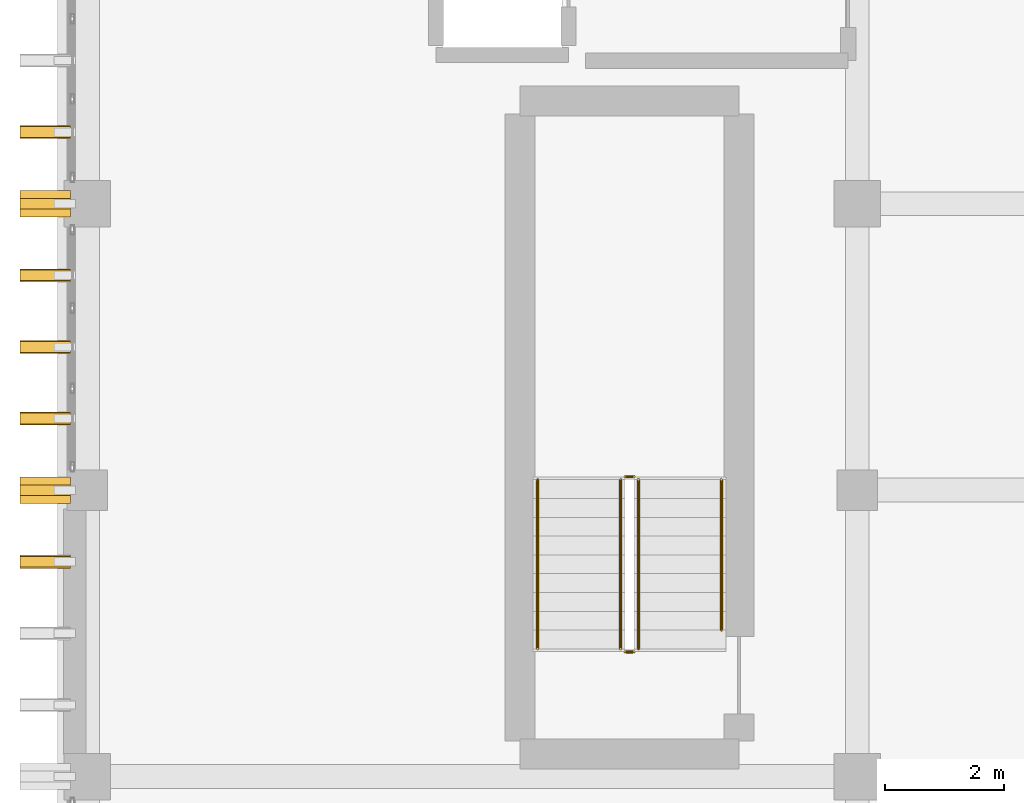
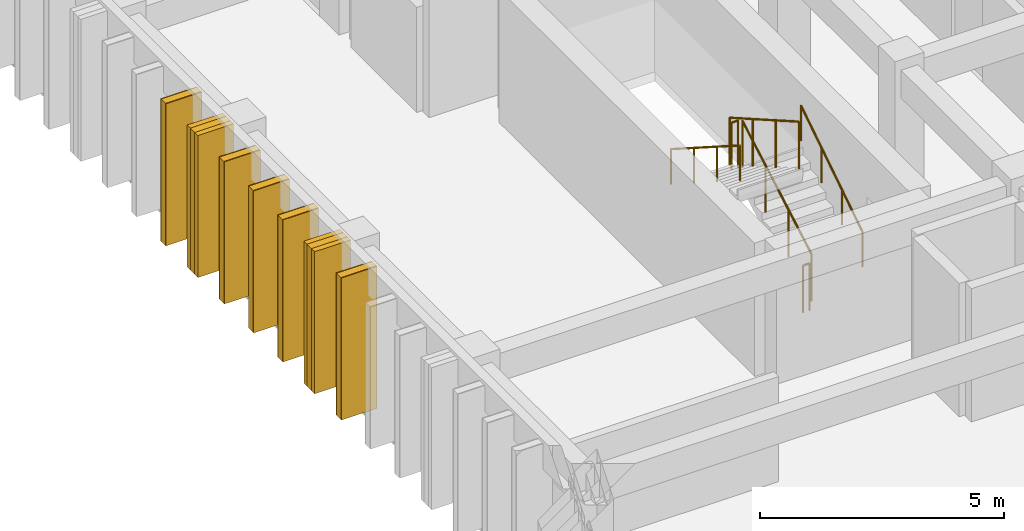
# One storey, part 65 of 68: 7 coverings, 7 shading devices, 6 railings.
"""IFC4 building model written with IfcOpenShell, lengths in metres."""

from ifc_helpers import new_model, si_unit, direction, frame, origin, origin_2d, place, context, subcontext, project, spatial, rectangle, circle, extrude, material, layer, layer_set, type_object, element, save


model = new_model("IFC4")

# Units and contexts
model_context = context("Model", 3, precision=1e-05, world=origin(), true_north=direction((0.0, 1.0)))
body_context = subcontext(model_context, "Body", "Model", "MODEL_VIEW")
ifc_project = project(units=[si_unit("LENGTHUNIT", "METRE"), si_unit("AREAUNIT", "SQUARE_METRE"), si_unit("VOLUMEUNIT", "CUBIC_METRE"), si_unit("PLANEANGLEUNIT", "RADIAN"), si_unit("MASSUNIT", "GRAM", prefix="KILO")], contexts=[model_context])

# Site, building, storey
site_placement = place(None, origin())
site = spatial("IfcSite", under=ifc_project, at=site_placement, CompositionType="ELEMENT")
building_placement = place(site_placement, origin())
building = spatial("IfcBuilding", under=site, at=building_placement, Name="Nakhvara Creek Congress Hotel", CompositionType="ELEMENT")
storey_placement = place(building_placement, frame((0.0, 0.0, 24.60009765625)))
storey = spatial("IfcBuildingStorey", under=building, at=storey_placement, Name="L05", CompositionType="ELEMENT", Elevation=24.60009765625)

# Coverings
ifc_material_1 = material(Name="Honed pale Omani limestone architectural cladding", Category="masonry")
ifc_layer = layer(ifc_material_1, 0.219970703125)
ifc_layer_set = layer_set([ifc_layer], Name="Honed pale Omani limestone architectural cladding")
covering_type = type_object("IfcCoveringType", Name="COV-FIN-850", PredefinedType="CLADDING", material=ifc_layer_set)
covering_1_placement = place(storey_placement, frame((148.7451171875, 80.39990234375, -0.000244140625), z_axis=(0.0, 0.0, 1.0), x_axis=(0.0, 1.0, 0.0)))
element("IfcCovering", 1, at=covering_1_placement, inside=storey, type_object=covering_type, Name="Pale Limestone Fin Cladding CF01-1501", PredefinedType="CLADDING", context=body_context, shape_type="SweptSolid", body=[
    extrude(rectangle(XDim=0.219970703125, YDim=0.85009765625, at=origin_2d()), origin(), (0.0, 0.0, 1.0), 3.56005859375),
])
covering_2_placement = place(storey_placement, frame((148.7451171875, 81.60009765625, -0.000244140625), z_axis=(0.0, 0.0, 1.0), x_axis=(0.0, 1.0, 0.0)))
element("IfcCovering", 2, at=covering_2_placement, inside=storey, type_object=covering_type, Name="Pale Limestone Fin Cladding CF01-1503", PredefinedType="CLADDING", context=body_context, shape_type="SweptSolid", body=[
    extrude(rectangle(XDim=0.43994140625, YDim=0.85009765625, at=origin_2d()), origin(), (0.0, 0.0, 1.0), 3.56005859375),
])
for number, where, z_axis, x_axis, name in (
    (3, (148.7451171875, 82.800048828125, -0.000244140625), (0.0, 0.0, 1.0), (0.0, 1.0, 0.0), "Pale Limestone Fin Cladding CF01-1505"),
    (4, (148.7451171875, 84.0, -0.000244140625), (0.0, 0.0, 1.0), (0.0, 1.0, 0.0), "Pale Limestone Fin Cladding CF01-1506"),
    (5, (148.7451171875, 85.199951171875, -0.000244140625), (0.0, 0.0, 1.0), (0.0, 1.0, 0.0), "Pale Limestone Fin Cladding CF01-1508"),
):
    element("IfcCovering", number, at=place(storey_placement, frame(where, z_axis=z_axis, x_axis=x_axis)), inside=storey, type_object=covering_type, Name=name, PredefinedType="CLADDING", context=body_context, shape_type="SweptSolid", body=[
        extrude(rectangle(XDim=0.219970703125, YDim=0.85009765625, at=origin_2d()), origin(), (0.0, 0.0, 1.0), 3.56005859375),
    ])
covering_3_placement = place(storey_placement, frame((148.7451171875, 86.39990234375, -0.000244140625), z_axis=(0.0, 0.0, 1.0), x_axis=(0.0, 1.0, 0.0)))
element("IfcCovering", 6, at=covering_3_placement, inside=storey, type_object=covering_type, Name="Pale Limestone Fin Cladding CF01-1510", PredefinedType="CLADDING", context=body_context, shape_type="SweptSolid", body=[
    extrude(rectangle(XDim=0.43994140625, YDim=0.85009765625, at=origin_2d()), origin(), (0.0, 0.0, 1.0), 3.56005859375),
])
covering_4_placement = place(storey_placement, frame((148.7451171875, 87.60009765625, -0.000244140625), z_axis=(0.0, 0.0, 1.0), x_axis=(0.0, 1.0, 0.0)))
element("IfcCovering", 7, at=covering_4_placement, inside=storey, type_object=covering_type, Name="Pale Limestone Fin Cladding CF01-1512", PredefinedType="CLADDING", context=body_context, shape_type="SweptSolid", body=[
    extrude(rectangle(XDim=0.219970703125, YDim=0.85009765625, at=origin_2d()), origin(), (0.0, 0.0, 1.0), 3.56005859375),
])

# Railings
ifc_material_2 = material(Name="Brushed stainless steel 316L", Category="steel")
railing_type_1 = type_object("IfcRailingType", Name="RL-GUARD-1200", PredefinedType="GUARDRAIL", material=ifc_material_2)
railing_1_placement = place(storey_placement, frame((158.68505859375, 78.93994140625, 0.179931640625)))
element("IfcRailing", 8, at=railing_1_placement, inside=storey, type_object=railing_type_1, Name="L05 ST01 stair guard 1", PredefinedType="GUARDRAIL", context=body_context, shape_type="SweptSolid", body=[
    extrude(circle(Radius=0.02392578125, at=origin_2d()), frame((0.0, 0.0126953125, 1.18310546875), z_axis=(0.0, 0.868256945921, 0.496114780932), x_axis=(-1.0, 0.0, 0.0)), (0.0, 0.0, 1.0), 3.23583984375),
    extrude(circle(Radius=0.02099609375, at=origin_2d()), origin(), (0.0, 0.0, 1.0), 1.1806640625),
    extrude(circle(Radius=0.02099609375, at=origin_2d()), frame((0.0, 0.945068359375, 0.5400390625)), (0.0, 0.0, 1.0), 1.1806640625),
    extrude(circle(Radius=0.02099609375, at=origin_2d()), frame((0.0, 1.889892578125, 1.079833984375)), (0.0, 0.0, 1.0), 1.1806640625),
    extrude(circle(Radius=0.02099609375, at=origin_2d()), frame((0.0, 2.8349609375, 1.619873046875)), (0.0, 0.0, 1.0), 1.1806640625),
])
railing_2_placement = place(storey_placement, frame((158.610107421875, 81.824951171875, 1.7998046875)))
element("IfcRailing", 9, at=railing_2_placement, inside=storey, type_object=railing_type_1, Name="L05 ST01 stair guard 2", PredefinedType="GUARDRAIL", context=body_context, shape_type="SweptSolid", body=[
    extrude(circle(Radius=0.02392578125, at=origin_2d()), frame((-0.0146484375, 0.0, 1.17578125), z_axis=(-1.0, 0.0, 0.0), x_axis=(0.0, -1.0, 0.0)), (0.0, 0.0, 1.0), 0.120849609375),
    extrude(circle(Radius=0.02099609375, at=origin_2d()), origin(), (0.0, 0.0, 1.0), 1.1806640625),
    extrude(circle(Radius=0.02099609375, at=origin_2d()), frame((-0.150146484375, 0.0, 0.0)), (0.0, 0.0, 1.0), 1.1806640625),
])
railing_3_placement = place(storey_placement, frame((158.385009765625, 81.77490234375, 1.97998046875)))
element("IfcRailing", 10, at=railing_3_placement, inside=storey, type_object=railing_type_1, Name="L05 ST01 stair guard 3", PredefinedType="GUARDRAIL", context=body_context, shape_type="SweptSolid", body=[
    extrude(circle(Radius=0.02392578125, at=origin_2d()), frame((0.0, -0.0126953125, 1.18310546875), z_axis=(0.0, -0.868256945921, 0.496114780932), x_axis=(1.0, 0.0, 0.0)), (0.0, 0.0, 1.0), 3.23583984375),
    extrude(circle(Radius=0.02099609375, at=origin_2d()), origin(), (0.0, 0.0, 1.0), 1.1806640625),
    extrude(circle(Radius=0.02099609375, at=origin_2d()), frame((0.0, -0.945068359375, 0.5400390625)), (0.0, 0.0, 1.0), 1.1806640625),
    extrude(circle(Radius=0.02099609375, at=origin_2d()), frame((0.0, -1.889892578125, 1.079833984375)), (0.0, 0.0, 1.0), 1.1806640625),
    extrude(circle(Radius=0.02099609375, at=origin_2d()), frame((0.0, -2.8349609375, 1.619873046875)), (0.0, 0.0, 1.0), 1.1806640625),
])
railing_4_placement = place(storey_placement, frame((158.610107421875, 78.889892578125, 0.0)))
element("IfcRailing", 11, at=railing_4_placement, inside=storey, type_object=railing_type_1, Name="L05 ST01 stair guard 4", PredefinedType="GUARDRAIL", context=body_context, shape_type="SweptSolid", body=[
    extrude(circle(Radius=0.02392578125, at=origin_2d()), frame((-0.0146484375, 0.0, 1.17578125), z_axis=(-1.0, 0.0, 0.0), x_axis=(0.0, -1.0, 0.0)), (0.0, 0.0, 1.0), 0.120849609375),
    extrude(circle(Radius=0.02099609375, at=origin_2d()), origin(), (0.0, 0.0, 1.0), 1.1806640625),
    extrude(circle(Radius=0.02099609375, at=origin_2d()), frame((-0.150146484375, 0.0, 0.0)), (0.0, 0.0, 1.0), 1.1806640625),
])
railing_type_2 = type_object("IfcRailingType", Name="RL-HAND-900", PredefinedType="HANDRAIL", material=ifc_material_2)
railing_5_placement = place(storey_placement, frame((160.074951171875, 79.2548828125, 0.35986328125)))
element("IfcRailing", 12, at=railing_5_placement, inside=storey, type_object=railing_type_2, Name="L05 ST01 stair handrail 1", PredefinedType="HANDRAIL", context=body_context, shape_type="SweptSolid", body=[
    extrude(circle(Radius=0.02392578125, at=origin_2d()), frame((0.0, 0.012451171875, 0.8837890625), z_axis=(0.0, 0.8394937775, 0.543369301248), x_axis=(-1.0, 0.0, 0.0)), (0.0, 0.0, 1.0), 2.972412109375),
    extrude(circle(Radius=0.02099609375, at=origin_2d()), origin(), (0.0, 0.0, 1.0), 0.880615234375),
    extrude(circle(Radius=0.02099609375, at=origin_2d()), frame((0.0, 0.840087890625, 0.543701171875)), (0.0, 0.0, 1.0), 0.880615234375),
    extrude(circle(Radius=0.02099609375, at=origin_2d()), frame((0.0, 1.679931640625, 1.08740234375)), (0.0, 0.0, 1.0), 0.880615234375),
    extrude(circle(Radius=0.02099609375, at=origin_2d()), frame((0.0, 2.52001953125, 1.631103515625)), (0.0, 0.0, 1.0), 0.880615234375),
])
railing_6_placement = place(storey_placement, frame((156.9951171875, 81.77490234375, 1.97998046875)))
element("IfcRailing", 13, at=railing_6_placement, inside=storey, type_object=railing_type_2, Name="L05 ST01 stair handrail 2", PredefinedType="HANDRAIL", context=body_context, shape_type="SweptSolid", body=[
    extrude(circle(Radius=0.02392578125, at=origin_2d()), frame((0.0, -0.012451171875, 0.8837890625), z_axis=(0.0, -0.842721868308, 0.538349192138), x_axis=(1.0, 0.0, 0.0)), (0.0, 0.0, 1.0), 3.334716796875),
    extrude(circle(Radius=0.02099609375, at=origin_2d()), origin(), (0.0, 0.0, 1.0), 0.880615234375),
    extrude(circle(Radius=0.02099609375, at=origin_2d()), frame((0.0, -0.945068359375, 0.603759765625)), (0.0, 0.0, 1.0), 0.880615234375),
    extrude(circle(Radius=0.02099609375, at=origin_2d()), frame((0.0, -1.889892578125, 1.207275390625)), (0.0, 0.0, 1.0), 0.880615234375),
    extrude(circle(Radius=0.02099609375, at=origin_2d()), frame((0.0, -2.8349609375, 1.81103515625)), (0.0, 0.0, 1.0), 0.880615234375),
])

# Shading devices
ifc_material_3 = material(Name="Honed pale Omani limestone cladding on stainless steel spine", Category="masonry")
shading_device_type = type_object("IfcShadingDeviceType", Name="SHD-FIN-850X3600", PredefinedType="USERDEFINED", material=ifc_material_3)
for number, where, z_axis, x_axis, name in (
    (14, (148.7451171875, 80.39990234375, -0.000244140625), (0.0, 0.0, 1.0), (0.0, 1.0, 0.0), "Limestone Solar Fin FN01-1366"),
    (15, (148.7451171875, 81.60009765625, -0.000244140625), (0.0, 0.0, 1.0), (0.0, 1.0, 0.0), "Limestone Solar Fin FN01-1368"),
    (16, (148.7451171875, 82.800048828125, -0.000244140625), (0.0, 0.0, 1.0), (0.0, 1.0, 0.0), "Limestone Solar Fin FN01-1370"),
    (17, (148.7451171875, 84.0, -0.000244140625), (0.0, 0.0, 1.0), (0.0, 1.0, 0.0), "Limestone Solar Fin FN01-1371"),
    (18, (148.7451171875, 85.199951171875, -0.000244140625), (0.0, 0.0, 1.0), (0.0, 1.0, 0.0), "Limestone Solar Fin FN01-1373"),
    (19, (148.7451171875, 86.39990234375, -0.000244140625), (0.0, 0.0, 1.0), (0.0, 1.0, 0.0), "Limestone Solar Fin FN01-1375"),
    (20, (148.7451171875, 87.60009765625, -0.000244140625), (0.0, 0.0, 1.0), (0.0, 1.0, 0.0), "Limestone Solar Fin FN01-1377"),
):
    element("IfcShadingDevice", number, at=place(storey_placement, frame(where, z_axis=z_axis, x_axis=x_axis)), inside=storey, type_object=shading_device_type, Name=name, ObjectType="FIN", PredefinedType="USERDEFINED", context=body_context, shape_type="SweptSolid", body=[
        extrude(rectangle(XDim=0.179931640625, YDim=0.85009765625, at=origin_2d()), origin(), (0.0, 0.0, 1.0), 3.56005859375),
    ])

save(model, "model.ifc")
